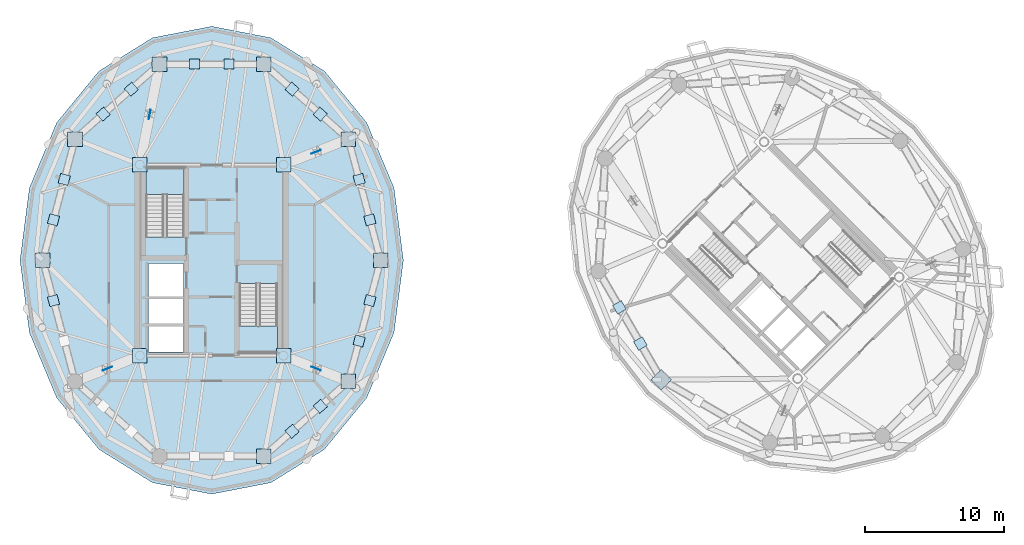
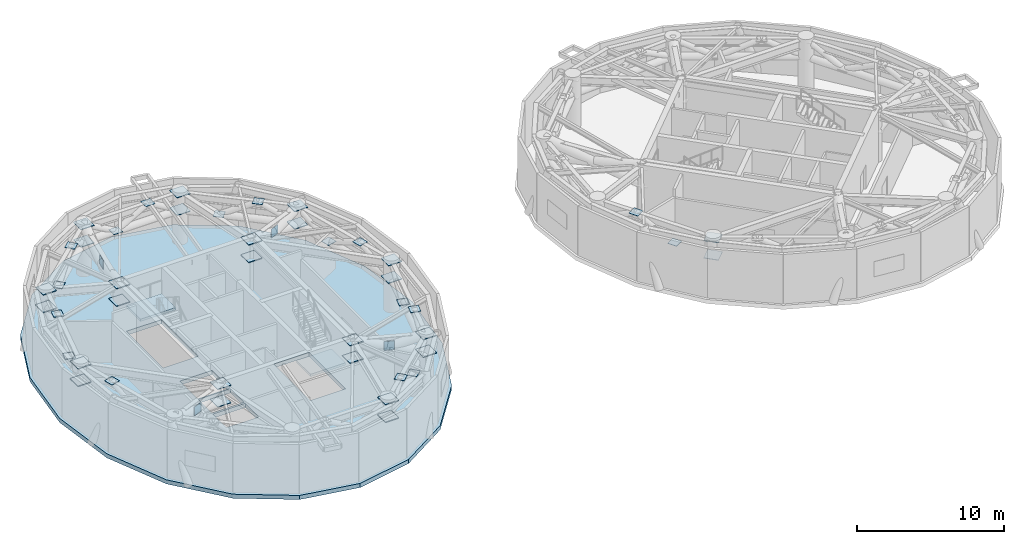
# One storey, part 6 of 14: 47 plates, 3 slabs, 2 elements without a shape of their own.
"""IFC4 building model written with IfcOpenShell, lengths in metres."""

from ifc_helpers import new_model, si_unit, direction, frame, origin, origin_2d, place, context, subcontext, project, spatial, polyline, rectangle, outline, extrude, source, transform, mapped, material, layer, layer_set, type_object, element, aggregate, save


model = new_model("IFC4")

# Units and contexts
model_context = context("Model", 3, precision=1e-05, world=origin(), true_north=direction((0.0, 1.0)))
body_context = subcontext(model_context, "Body", "Model", "MODEL_VIEW")
ifc_project = project(units=[si_unit("LENGTHUNIT", "METRE"), si_unit("AREAUNIT", "SQUARE_METRE"), si_unit("VOLUMEUNIT", "CUBIC_METRE"), si_unit("PLANEANGLEUNIT", "RADIAN"), si_unit("MASSUNIT", "GRAM", prefix="KILO")], contexts=[model_context])

# Site, building, storey
site_placement = place(None, origin())
site = spatial("IfcSite", under=ifc_project, at=site_placement, CompositionType="ELEMENT")
building_placement = place(site_placement, origin())
building = spatial("IfcBuilding", under=site, at=building_placement, Name="Cununo Teusaquillo Station Towers", CompositionType="ELEMENT")
storey_placement = place(building_placement, frame((0.0, 0.0, 192.340087890625)))
storey = spatial("IfcBuildingStorey", under=building, at=storey_placement, Name="L61", CompositionType="ELEMENT", Elevation=192.340087890625)

# Slab
ifc_material_1 = material(Name="Concrete C50/60", Category="concrete")
ifc_layer_1 = layer(ifc_material_1, 0.340087890625)
ifc_layer_set_1 = layer_set([ifc_layer_1], Name="Concrete C50/60")
slab_type_1 = type_object("IfcSlabType", Name="SLB-B01-340", PredefinedType="FLOOR", material=ifc_layer_set_1)
slab_1_placement = place(storey_placement, frame((0.0, 0.0, -0.340087890625)))
element("IfcSlab", 1, at=slab_1_placement, inside=storey, type_object=slab_type_1, Name="L61 Tower A Floor Slab", PredefinedType="FLOOR", context=body_context, shape_type="SweptSolid", body=[
    extrude(outline(polyline([(30.31103515625, 24.5), (29.635009765625, 29.706787109375), (27.67333984375, 34.404296875), (24.617919921875, 38.1318359375), (20.767822265625, 40.525390625), (16.5, 41.35009765625), (12.232177734375, 40.525390625), (8.382080078125, 38.1318359375), (5.32666015625, 34.404296875), (3.364990234375, 29.706787109375), (2.68896484375, 24.5), (3.364990234375, 19.293212890625), (5.32666015625, 14.595703125), (8.382080078125, 10.8681640625), (12.232177734375, 8.474609375), (16.5, 7.64990234375), (20.767822265625, 8.474609375), (24.617919921875, 10.8681640625), (27.67333984375, 14.595703125), (29.635009765625, 19.293212890625), (30.31103515625, 24.5)]), holes=[polyline([(14.52001953125, 26.176025390625), (14.52001953125, 31.159912109375), (11.760009765625, 31.159912109375), (11.760009765625, 26.176025390625), (14.52001953125, 26.176025390625)]), polyline([(18.47998046875, 22.823974609375), (18.47998046875, 17.840087890625), (21.239990234375, 17.840087890625), (21.239990234375, 22.823974609375), (18.47998046875, 22.823974609375)]), polyline([(11.949951171875, 21.85009765625), (14.47998046875, 21.85009765625), (14.47998046875, 24.25), (11.949951171875, 24.25), (11.949951171875, 21.85009765625)]), polyline([(11.949951171875, 17.89990234375), (14.47998046875, 17.89990234375), (14.47998046875, 19.75), (11.949951171875, 19.75), (11.949951171875, 17.89990234375)]), polyline([(11.949951171875, 19.89990234375), (14.47998046875, 19.89990234375), (14.47998046875, 21.75), (11.949951171875, 21.75), (11.949951171875, 19.89990234375)])]), origin(), (0.0, 0.0, 1.0), 0.340087890625),
])

# Stair, slab
ifc_material_2 = material(Name="Concrete C50/60", Category="concrete")
stair_type = type_object("IfcStairType", Name="ST-TWR-1300", PredefinedType="HALF_TURN_STAIR", material=ifc_material_2)
stair_1_placement = place(storey_placement, origin())
stair_1 = element("IfcStair", 2, at=stair_1_placement, inside=storey, type_object=stair_type, Name="L61 Tower A Protected Core Exit Stair 1", PredefinedType="HALF_TURN_STAIR")
ifc_material_3 = material(Name="Concrete C50/60", Category="concrete")
ifc_layer_2 = layer(ifc_material_3, 0.199951171875)
ifc_layer_set_2 = layer_set([ifc_layer_2], Name="Concrete C50/60")
slab_type_2 = type_object("IfcSlabType", Name="SLB-STAIR-LND", PredefinedType="LANDING", material=ifc_layer_set_2)
slab_2_placement = place(storey_placement, frame((0.0, 0.0, 1.9599609375)))
slab_2 = element("IfcSlab", 3, at=slab_2_placement, type_object=slab_type_2, Name="ST-T1-1 landing 1", PredefinedType="LANDING", context=body_context, shape_type="SweptSolid", body=[
    extrude(outline(polyline([(14.52001953125, 29.25), (14.52001953125, 31.159912109375), (11.760009765625, 31.159912109375), (11.760009765625, 29.25), (14.52001953125, 29.25)])), origin(), (0.0, 0.0, 1.0), 0.199951171875),
])
aggregate(stair_1, [slab_2])

stair_2_placement = place(storey_placement, origin())
stair_2 = element("IfcStair", 4, at=stair_2_placement, inside=storey, type_object=stair_type, Name="L61 Tower A Protected Core Exit Stair 2", PredefinedType="HALF_TURN_STAIR")
slab_3_placement = place(storey_placement, frame((0.0, 0.0, 1.9599609375)))
slab_3 = element("IfcSlab", 5, at=slab_3_placement, type_object=slab_type_2, Name="ST-T1-2 landing 1", PredefinedType="LANDING", context=body_context, shape_type="SweptSolid", body=[
    extrude(outline(polyline([(18.47998046875, 19.75), (18.47998046875, 17.840087890625), (21.239990234375, 17.840087890625), (21.239990234375, 19.75), (18.47998046875, 19.75)])), origin(), (0.0, 0.0, 1.0), 0.199951171875),
])
aggregate(stair_2, [slab_3])

# Plates
ifc_material_4 = material(Name="Steel ASTM A572 Grade 50", Category="steel")
ifc_layer_3 = layer(ifc_material_4, 0.030029296875)
ifc_layer_set_3 = layer_set([ifc_layer_3], Name="Steel ASTM A572 Grade 50")
plate_type_1 = type_object("IfcPlateType", Name="PLT-NODE-XBR", PredefinedType="USERDEFINED", material=ifc_layer_set_3)
shared_shape_1 = source(origin(), body_context, "Body", "SweptSolid", [
    extrude(rectangle(XDim=0.719970703125, YDim=0.030029296875, at=origin_2d()), origin(), (0.0, 0.0, 1.0), 0.719970703125),
])
for number, where, z_axis, x_axis, name in (
    (6, (12.03173828125, 35.001708984375, 2.94482421875), (0.0, 0.0, 1.0), (0.191494253877, 0.981493734433, 0.0), "L61 Tower A Outrigger X-Crossing Gusset XBP1 1"),
    (7, (24.01123046875, 32.30419921875, 2.94482421875), (0.0, 0.0, 1.0), (0.929840721582, 0.367962270469, 0.0), "L61 Tower A Outrigger X-Crossing Gusset XBP1 2"),
    (8, (8.98876953125, 16.69580078125, 2.94482421875), (0.0, 0.0, 1.0), (-0.929840721582, -0.367962270469, 0.0), "L61 Tower A Outrigger X-Crossing Gusset XBP1 3"),
    (9, (24.01123046875, 16.69580078125, 2.94482421875), (0.0, 0.0, 1.0), (0.929840721582, -0.367962270469, 0.0), "L61 Tower A Outrigger X-Crossing Gusset XBP1 4"),
):
    element("IfcPlate", number, at=place(storey_placement, frame(where, z_axis=z_axis, x_axis=x_axis)), inside=storey, type_object=plate_type_1, Name=name, ObjectType="GUSSET PLATE", PredefinedType="USERDEFINED", context=body_context, shape_type="MappedRepresentation", body=[
        mapped(shared_shape_1, transform((0.0, 0.0, 0.0), x_axis=(1.0, 0.0, 0.0), y_axis=(0.0, 1.0, 0.0), z_axis=(0.0, 0.0, 1.0), scale=1.0)),
    ])
ifc_material_5 = material(Name="Steel ASTM A572 Grade 50", Category="steel")
ifc_layer_4 = layer(ifc_material_5, 0.054931640625)
ifc_layer_set_4 = layer_set([ifc_layer_4], Name="Steel ASTM A572 Grade 50")
plate_type_2 = type_object("IfcPlateType", Name="PLT-NODE-OTN1", PredefinedType="USERDEFINED", material=ifc_layer_set_4)
shared_shape_2 = source(origin(), body_context, "Body", "SweptSolid", [
    extrude(rectangle(XDim=1.050048828125, YDim=1.050048828125, at=origin_2d()), origin(), (0.0, 0.0, 1.0), 0.054931640625),
])
for number, where, z_axis, x_axis, name in (
    (10, (11.324951171875, 31.3798828125, 2.55224609375), (0.0, 0.0, 1.0), (1.0, 0.0, 0.0), "L61 Tower A Outrigger Core Gusset OTN1 1.CB"),
    (11, (11.324951171875, 31.3798828125, 4.00244140625), (0.0, 0.0, 1.0), (1.0, 0.0, 0.0), "L61 Tower A Outrigger Core Gusset OTN1 1.CT"),
    (12, (21.675048828125, 31.3798828125, 2.55224609375), (0.0, 0.0, 1.0), (1.0, 0.0, 0.0), "L61 Tower A Outrigger Core Gusset OTN1 2.CB"),
    (13, (21.675048828125, 31.3798828125, 4.00244140625), (0.0, 0.0, 1.0), (1.0, 0.0, 0.0), "L61 Tower A Outrigger Core Gusset OTN1 2.CT"),
    (14, (11.324951171875, 17.6201171875, 2.55224609375), (0.0, 0.0, 1.0), (1.0, 0.0, 0.0), "L61 Tower A Outrigger Core Gusset OTN1 3.CB"),
    (15, (11.324951171875, 17.6201171875, 4.00244140625), (0.0, 0.0, 1.0), (1.0, 0.0, 0.0), "L61 Tower A Outrigger Core Gusset OTN1 3.CT"),
    (16, (21.675048828125, 17.6201171875, 2.55224609375), (0.0, 0.0, 1.0), (1.0, 0.0, 0.0), "L61 Tower A Outrigger Core Gusset OTN1 4.CB"),
    (17, (21.675048828125, 17.6201171875, 4.00244140625), (0.0, 0.0, 1.0), (1.0, 0.0, 0.0), "L61 Tower A Outrigger Core Gusset OTN1 4.CT"),
    (18, (28.672119140625, 24.5, 2.55224609375), (0.0, 0.0, 1.0), (1.0, 0.0, 0.0), "L61 Tower A Belt Truss Column Gusset 01B"),
    (19, (28.672119140625, 24.5, 4.00244140625), (0.0, 0.0, 1.0), (1.0, 0.0, 0.0), "L61 Tower A Belt Truss Column Gusset 01T"),
    (20, (26.347412109375, 33.228515625, 2.55224609375), (0.0, 0.0, 1.0), (1.0, 0.0, 0.0), "L61 Tower A Belt Truss Column Gusset 02B"),
    (21, (26.347412109375, 33.228515625, 4.00244140625), (0.0, 0.0, 1.0), (1.0, 0.0, 0.0), "L61 Tower A Belt Truss Column Gusset 02T"),
    (22, (20.261474609375, 38.623291015625, 2.55224609375), (0.0, 0.0, 1.0), (1.0, 0.0, 0.0), "L61 Tower A Belt Truss Column Gusset 03B"),
    (23, (20.261474609375, 38.623291015625, 4.00244140625), (0.0, 0.0, 1.0), (1.0, 0.0, 0.0), "L61 Tower A Belt Truss Column Gusset 03T"),
    (24, (12.738525390625, 38.623291015625, 2.55224609375), (0.0, 0.0, 1.0), (1.0, 0.0, 0.0), "L61 Tower A Belt Truss Column Gusset 04B"),
    (25, (12.738525390625, 38.623291015625, 4.00244140625), (0.0, 0.0, 1.0), (1.0, 0.0, 0.0), "L61 Tower A Belt Truss Column Gusset 04T"),
    (26, (6.652587890625, 33.228515625, 2.55224609375), (0.0, 0.0, 1.0), (1.0, 0.0, 0.0), "L61 Tower A Belt Truss Column Gusset 05B"),
    (27, (6.652587890625, 33.228515625, 4.00244140625), (0.0, 0.0, 1.0), (1.0, 0.0, 0.0), "L61 Tower A Belt Truss Column Gusset 05T"),
    (28, (4.327880859375, 24.5, 2.55224609375), (0.0, 0.0, 1.0), (1.0, 0.0, 0.0), "L61 Tower A Belt Truss Column Gusset 06B"),
    (29, (4.327880859375, 24.5, 4.00244140625), (0.0, 0.0, 1.0), (1.0, 0.0, 0.0), "L61 Tower A Belt Truss Column Gusset 06T"),
    (30, (20.261474609375, 10.376708984375, 2.55224609375), (0.0, 0.0, 1.0), (1.0, 0.0, 0.0), "L61 Tower A Belt Truss Column Gusset 09B"),
    (31, (20.261474609375, 10.376708984375, 4.00244140625), (0.0, 0.0, 1.0), (1.0, 0.0, 0.0), "L61 Tower A Belt Truss Column Gusset 09T"),
    (32, (26.347412109375, 15.771484375, 2.55224609375), (0.0, 0.0, 1.0), (1.0, 0.0, 0.0), "L61 Tower A Belt Truss Column Gusset 10B"),
    (33, (26.347412109375, 15.771484375, 4.00244140625), (0.0, 0.0, 1.0), (1.0, 0.0, 0.0), "L61 Tower A Belt Truss Column Gusset 10T"),
    (34, (48.89306640625, 15.89306640625, 2.55224609375), (0.0, 0.0, 1.0), (0.707106781187, 0.707106781187, 0.0), "L61 Tower B Belt Truss Column Gusset 06B"),
    (35, (48.89306640625, 15.89306640625, 4.00244140625), (0.0, 0.0, 1.0), (0.707106781187, 0.707106781187, 0.0), "L61 Tower B Belt Truss Column Gusset 06T"),
):
    element("IfcPlate", number, at=place(storey_placement, frame(where, z_axis=z_axis, x_axis=x_axis)), inside=storey, type_object=plate_type_2, Name=name, ObjectType="GUSSET PLATE", PredefinedType="USERDEFINED", context=body_context, shape_type="MappedRepresentation", body=[
        mapped(shared_shape_2, transform((0.0, 0.0, 0.0), x_axis=(1.0, 0.0, 0.0), y_axis=(0.0, 1.0, 0.0), z_axis=(0.0, 0.0, 1.0), scale=1.0)),
    ])
shared_shape_3 = source(origin(), body_context, "Body", "SweptSolid", [
    extrude(rectangle(XDim=0.719970703125, YDim=0.719970703125, at=origin_2d()), origin(), (0.0, 0.0, 1.0), 0.030029296875),
])
for number, where, z_axis, x_axis, name in (
    (36, (27.897216796875, 27.409423828125, 4.01513671875), (0.0, 0.0, 1.0), (-0.257301453681, 0.966331186464, 0.0), "L61 Tower A Belt Web Node Gusset XBP1 01T1"),
    (37, (27.122314453125, 30.319091796875, 2.56494140625), (0.0, 0.0, 1.0), (-0.257301453681, 0.966331186464, 0.0), "L61 Tower A Belt Web Node Gusset XBP1 01B2"),
    (38, (24.318603515625, 35.02685546875, 4.01513671875), (0.0, 0.0, 1.0), (-0.748377190605, 0.66327338299, 0.0), "L61 Tower A Belt Web Node Gusset XBP1 02T1"),
    (39, (22.2900390625, 36.824951171875, 2.56494140625), (0.0, 0.0, 1.0), (-0.748377190605, 0.66327338299, 0.0), "L61 Tower A Belt Web Node Gusset XBP1 02B2"),
    (40, (17.75390625, 38.623291015625, 4.01513671875), (0.0, 0.0, 1.0), (-1.0, 0.0, 0.0), "L61 Tower A Belt Web Node Gusset XBP1 03T1"),
    (41, (15.24609375, 38.623291015625, 2.56494140625), (0.0, 0.0, 1.0), (-1.0, 0.0, 0.0), "L61 Tower A Belt Web Node Gusset XBP1 03B2"),
    (42, (10.7099609375, 36.824951171875, 4.01513671875), (0.0, 0.0, 1.0), (-0.748377190605, -0.66327338299, 0.0), "L61 Tower A Belt Web Node Gusset XBP1 04T1"),
    (43, (8.681396484375, 35.02685546875, 2.56494140625), (0.0, 0.0, 1.0), (-0.748377190605, -0.66327338299, 0.0), "L61 Tower A Belt Web Node Gusset XBP1 04B2"),
    (44, (5.877685546875, 30.319091796875, 4.01513671875), (0.0, 0.0, 1.0), (-0.257301453681, -0.966331186464, 0.0), "L61 Tower A Belt Web Node Gusset XBP1 05T1"),
    (45, (5.102783203125, 27.409423828125, 2.56494140625), (0.0, 0.0, 1.0), (-0.257301453681, -0.966331186464, 0.0), "L61 Tower A Belt Web Node Gusset XBP1 05B2"),
    (46, (5.102783203125, 21.590576171875, 4.01513671875), (0.0, 0.0, 1.0), (0.257301453681, -0.966331186464, 0.0), "L61 Tower A Belt Web Node Gusset XBP1 06T1"),
    (47, (22.2900390625, 12.175048828125, 4.01513671875), (0.0, 0.0, 1.0), (0.748377190605, 0.66327338299, 0.0), "L61 Tower A Belt Web Node Gusset XBP1 09T1"),
    (48, (24.318603515625, 13.97314453125, 2.56494140625), (0.0, 0.0, 1.0), (0.748377190605, 0.66327338299, 0.0), "L61 Tower A Belt Web Node Gusset XBP1 09B2"),
    (49, (27.122314453125, 18.680908203125, 4.01513671875), (0.0, 0.0, 1.0), (0.257301453681, 0.966331186464, 0.0), "L61 Tower A Belt Web Node Gusset XBP1 10T1"),
    (50, (27.897216796875, 21.590576171875, 2.56494140625), (0.0, 0.0, 1.0), (0.257301453681, 0.966331186464, 0.0), "L61 Tower A Belt Web Node Gusset XBP1 10B2"),
    (51, (45.874267578125, 21.103515625, 4.01513671875), (0.0, 0.0, 1.0), (0.501359732114, -0.865238937528, 0.0), "L61 Tower B Belt Web Node Gusset XBP1 05T1"),
    (52, (47.383544921875, 18.498291015625, 2.56494140625), (0.0, 0.0, 1.0), (0.501359732114, -0.865238937528, 0.0), "L61 Tower B Belt Web Node Gusset XBP1 05B2"),
):
    element("IfcPlate", number, at=place(storey_placement, frame(where, z_axis=z_axis, x_axis=x_axis)), inside=storey, type_object=plate_type_1, Name=name, ObjectType="GUSSET PLATE", PredefinedType="USERDEFINED", context=body_context, shape_type="MappedRepresentation", body=[
        mapped(shared_shape_3, transform((0.0, 0.0, 0.0), x_axis=(1.0, 0.0, 0.0), y_axis=(0.0, 1.0, 0.0), z_axis=(0.0, 0.0, 1.0), scale=1.0)),
    ])

save(model, "model.ifc")
